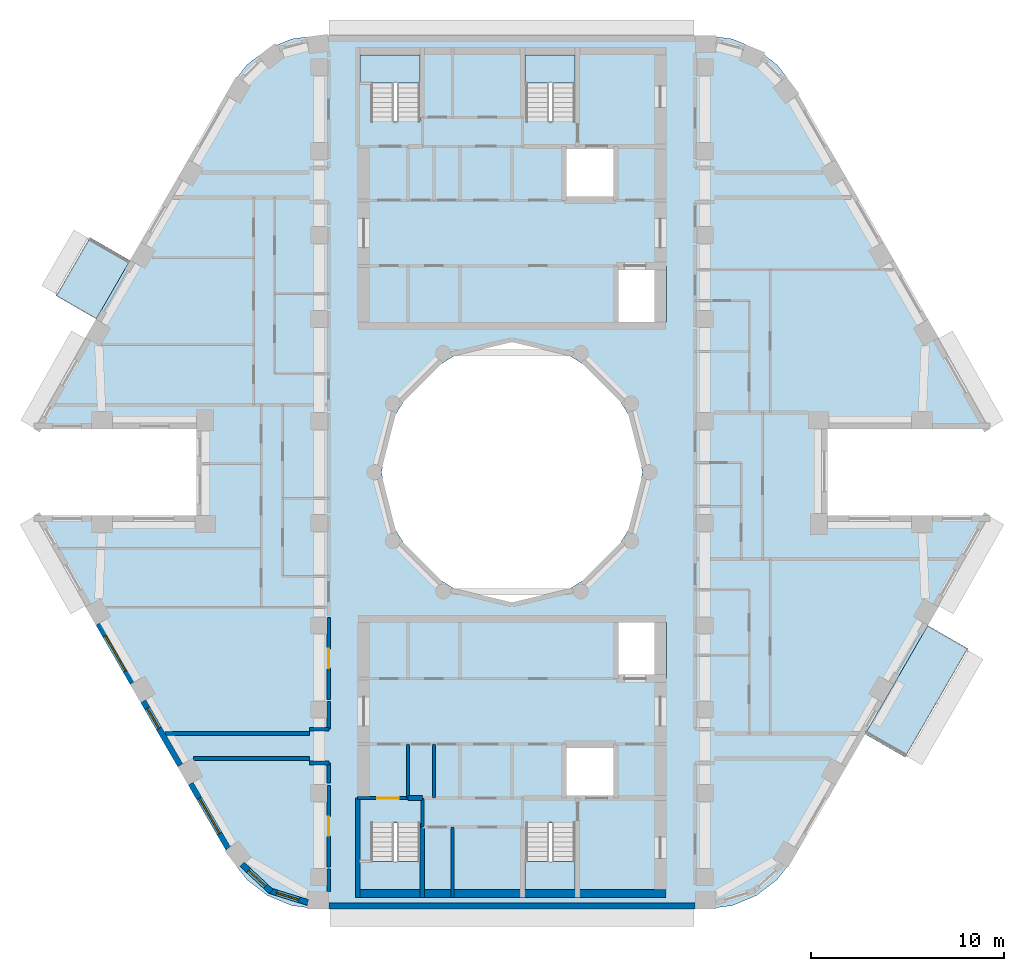
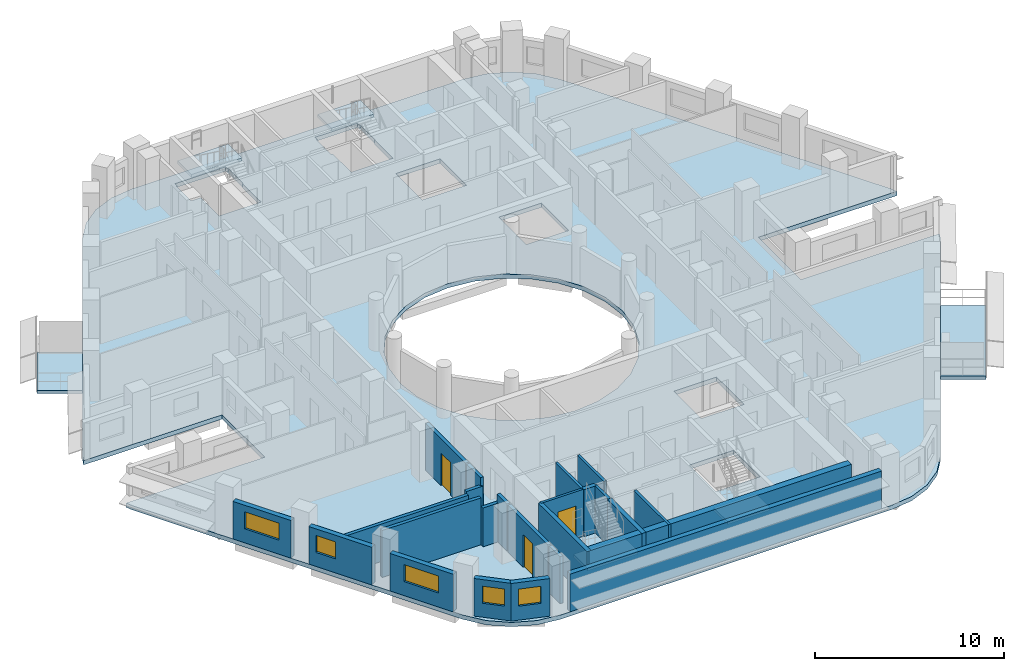
# One storey, part 2 of 14: 24 walls, 7 slabs, 5 windows, 3 doors, 8 openings, 4 elements without a shape of their own.
"""IFC4 building model written with IfcOpenShell, lengths in metres."""

import ifcopenshell
import ifcopenshell.guid

model = None  # the IFC model being written
_history = None  # IfcOwnerHistory: only IFC2X3 demands one
_inside = {}  # id of a spatial element -> (the spatial element, [elements in it])
_under = {}  # id of a project, library or spatial element -> (it, [spatial elements below it])
_declared = {}  # id of a project -> (the project, [libraries it declares])
_typed = {}  # id of a type object -> (the type object, [elements of that type])
_made_of = {}  # id of a material, layer set ... -> (it, [elements and type objects made of it])


def new_model(schema):
    """Start an empty IFC model of exactly this schema.

    Asked for "IFC4X3", IfcOpenShell would pick the latest addendum, in which some entities
    have other attributes; the version numbers below select the first issue.
    IFC2X3 requires an IfcOwnerHistory on every rooted entity: one is made here for all.
    """
    global model, _history
    if schema == "IFC4X3":
        model = ifcopenshell.file(schema_version=(4, 3, 0, 0))
    else:
        model = ifcopenshell.file(schema=schema)
    _inside.clear()
    _under.clear()
    _declared.clear()
    _typed.clear()
    _made_of.clear()
    _history = None
    if model.schema == "IFC2X3":
        org = make("IfcOrganization", Name="unknown")
        user = make(
            "IfcPersonAndOrganization",
            ThePerson=make("IfcPerson", FamilyName="unknown"),
            TheOrganization=org,
        )
        app = make(
            "IfcApplication",
            ApplicationDeveloper=org,
            Version="unknown",
            ApplicationFullName="unknown",
            ApplicationIdentifier="unknown",
        )
        _history = make(
            "IfcOwnerHistory",
            OwningUser=user,
            OwningApplication=app,
            ChangeAction="ADDED",
            CreationDate=0,
        )
    return model


def make(cls, **values):
    """One entity of the class cls with the attributes given. An attribute that is None is left unset."""
    return model.create_entity(
        cls, **{name: value for name, value in values.items() if value is not None}
    )


def rooted(cls, **values):
    """An entity with a GlobalId (a new one), such as an element, a storey or a relation."""
    return make(cls, GlobalId=ifcopenshell.guid.new(), OwnerHistory=_history, **values)


def si_unit(unit_type, name, prefix=None):
    """IfcSIUnit, for example si_unit("LENGTHUNIT", "METRE", prefix="MILLI")."""
    return make("IfcSIUnit", UnitType=unit_type, Prefix=prefix, Name=name)


def assignment(units):
    """IfcUnitAssignment: the units of a project."""
    return None if units is None else make("IfcUnitAssignment", Units=units)


def point(xyz):
    """IfcCartesianPoint."""
    return None if xyz is None else make("IfcCartesianPoint", Coordinates=xyz)


def direction(xyz):
    """IfcDirection."""
    return None if xyz is None else make("IfcDirection", DirectionRatios=xyz)


def frame(location, z_axis=None, x_axis=None):
    """IfcAxis2Placement3D, a coordinate frame: its origin and axes. An axis left out is left unset."""
    return make(
        "IfcAxis2Placement3D",
        Location=point(location),
        Axis=direction(z_axis),
        RefDirection=direction(x_axis),
    )


def frame_2d(location, x_axis=None):
    """IfcAxis2Placement2D, a coordinate frame in the plane: its origin and x axis."""
    return make(
        "IfcAxis2Placement2D", Location=point(location), RefDirection=direction(x_axis)
    )


def origin():
    """The frame at (0, 0, 0) with its axes left unset."""
    return frame((0.0, 0.0, 0.0))


def place(relative_to, where):
    """IfcLocalPlacement: puts the frame where relative to a parent placement (None: the world)."""
    return make(
        "IfcLocalPlacement", PlacementRelTo=relative_to, RelativePlacement=where
    )


def context(
    kind, dimensions, precision=None, world=None, true_north=None, identifier=None
):
    """IfcGeometricRepresentationContext, for example the 3D "Model" context."""
    return make(
        "IfcGeometricRepresentationContext",
        ContextIdentifier=identifier,
        ContextType=kind,
        CoordinateSpaceDimension=dimensions,
        Precision=precision,
        WorldCoordinateSystem=world,
        TrueNorth=true_north,
    )


def subcontext(parent, identifier, kind, view, scale=None):
    """IfcGeometricRepresentationSubContext, for example "Body" below "Model"."""
    return make(
        "IfcGeometricRepresentationSubContext",
        ContextIdentifier=identifier,
        ContextType=kind,
        ParentContext=parent,
        TargetScale=scale,
        TargetView=view,
    )


def project(units=None, contexts=None):
    """IfcProject with its units and contexts."""
    return rooted(
        "IfcProject",
        Name="project",
        RepresentationContexts=contexts,
        UnitsInContext=assignment(units),
    )


def spatial(cls, under=None, at=None, **own):
    """A site, building, storey or space (cls), placed at a placement, below another one or the project."""
    s = rooted(cls, ObjectPlacement=at, **own)
    if under is not None:
        _under.setdefault(under.id(), (under, []))[1].append(s)
    return s


def polyline(points):
    """IfcPolyline through the points."""
    return make("IfcPolyline", Points=[point(p) for p in points])


def profile(cls, at=None, kind="AREA", **sizes):
    """A parametric profile (cls). Its sizes go by their IFC names, for example OverallWidth=200.0."""
    return make(cls, ProfileType=kind, Position=at, **sizes)


def rectangle(**sizes):
    """IfcRectangleProfileDef."""
    return profile("IfcRectangleProfileDef", **sizes)


def outline(outer, holes=None, kind="AREA"):
    """IfcArbitraryClosedProfileDef: a profile drawn as a closed curve; with holes, ...WithVoids."""
    if holes is None:
        return make("IfcArbitraryClosedProfileDef", ProfileType=kind, OuterCurve=outer)
    return make(
        "IfcArbitraryProfileDefWithVoids",
        ProfileType=kind,
        OuterCurve=outer,
        InnerCurves=holes,
    )


def extrude(swept, where, along, depth):
    """IfcExtrudedAreaSolid: the profile swept, set in the frame where, extruded along a direction by depth."""
    return make(
        "IfcExtrudedAreaSolid",
        SweptArea=swept,
        Position=where,
        ExtrudedDirection=direction(along),
        Depth=depth,
    )


def shape(context_of_items, identifier, shape_type, items):
    """IfcShapeRepresentation: the items that make up one representation, for example the "Body"."""
    return make(
        "IfcShapeRepresentation",
        ContextOfItems=context_of_items,
        RepresentationIdentifier=identifier,
        RepresentationType=shape_type,
        Items=items,
    )


def material(Name=None, Category=None):
    """IfcMaterial."""
    return make("IfcMaterial", Name=Name, Category=Category)


def layer(
    of_material, thickness, ventilated=None, Name=None, Category=None, Priority=None
):
    """IfcMaterialLayer: one layer of a wall or slab, of a material (None: an air gap)."""
    return make(
        "IfcMaterialLayer",
        Material=of_material,
        LayerThickness=thickness,
        IsVentilated=ventilated,
        Name=Name,
        Category=Category,
        Priority=Priority,
    )


def layer_set(layers, Name=None):
    """IfcMaterialLayerSet."""
    return make("IfcMaterialLayerSet", MaterialLayers=layers, LayerSetName=Name)


def made_of(thing, what):
    """Note that an element or type object is made of a material, layer set ...; save() writes the relation."""
    if what is not None:
        _made_of.setdefault(what.id(), (what, []))[1].append(thing)
    return thing


def type_object(cls, material=None, **own):
    """A type object (cls), such as IfcWallType, which elements share."""
    return made_of(rooted(cls, **own), material)


def element(
    cls,
    number,
    at=None,
    inside=None,
    cuts=None,
    type_object=None,
    material=None,
    context=None,
    identifier="Body",
    shape_type=None,
    held_by="IfcProductDefinitionShape",
    body=None,
    shapes=None,
    **own,
):
    """One element of the class cls, such as IfcWall. Its Tag is "e" and its number.

    at: its placement. inside: the storey or other place that contains it. cuts: it is an
    opening in that element (IfcRelVoidsElement). A single representation is given by context,
    identifier, shape_type and body (its items); several are given by shapes. held_by: the class
    of the entity that holds the representations. save() writes the other relations.
    """
    e = rooted(cls, Tag="e%d" % number, ObjectPlacement=at, **own)
    if body is not None:
        shapes = [shape(context, identifier, shape_type, body)]
    if shapes is not None:
        e.Representation = make(held_by, Representations=shapes)
    if inside is not None:
        _inside.setdefault(inside.id(), (inside, []))[1].append(e)
    if cuts is not None:
        rooted(
            "IfcRelVoidsElement", RelatingBuildingElement=cuts, RelatedOpeningElement=e
        )
    if type_object is not None:
        _typed.setdefault(type_object.id(), (type_object, []))[1].append(e)
    return made_of(e, material)


def fill(opening, filler):
    """IfcRelFillsElement: the door or window that sits in an opening."""
    return rooted(
        "IfcRelFillsElement",
        RelatingOpeningElement=opening,
        RelatedBuildingElement=filler,
    )


def aggregate(whole, parts):
    """IfcRelAggregates: a whole, such as a stair, and the parts it consists of."""
    return rooted("IfcRelAggregates", RelatingObject=whole, RelatedObjects=parts)


def save(model, path):
    """Write the relations noted so far, then the file.

    IfcRelAggregates (storeys below a building ...), IfcRelContainedInSpatialStructure (elements
    in a storey), IfcRelDefinesByType, IfcRelAssociatesMaterial and IfcRelDeclares: one each for
    every whole, place, type object, material and project.
    """
    for whole, parts in _under.values():
        aggregate(whole, parts)
    for where, things in _inside.values():
        rooted(
            "IfcRelContainedInSpatialStructure",
            RelatedElements=things,
            RelatingStructure=where,
        )
    for kind, things in _typed.values():
        rooted("IfcRelDefinesByType", RelatedObjects=things, RelatingType=kind)
    for what, things in _made_of.values():
        rooted("IfcRelAssociatesMaterial", RelatedObjects=things, RelatingMaterial=what)
    for by, libraries in _declared.values():
        rooted("IfcRelDeclares", RelatingContext=by, RelatedDefinitions=libraries)
    model.write(path)


model = new_model("IFC4")

# Units and contexts
model_context = context("Model", 3, precision=1e-05, world=origin(), true_north=direction((0.0, 1.0)))
body_context = subcontext(model_context, "Body", "Model", "MODEL_VIEW")
ifc_project = project(units=[si_unit("LENGTHUNIT", "METRE"), si_unit("AREAUNIT", "SQUARE_METRE"), si_unit("VOLUMEUNIT", "CUBIC_METRE"), si_unit("PLANEANGLEUNIT", "RADIAN"), si_unit("MASSUNIT", "GRAM", prefix="KILO")], contexts=[model_context])

# Site, building, storey
site_placement = place(None, origin())
site = spatial("IfcSite", under=ifc_project, at=site_placement, CompositionType="ELEMENT")
building_placement = place(site_placement, origin())
building = spatial("IfcBuilding", under=site, at=building_placement, Name="Nakaniwa Court", CompositionType="ELEMENT")
storey_placement = place(building_placement, frame((0.0, 0.0, 259.199951171875)))
storey = spatial("IfcBuildingStorey", under=building, at=storey_placement, Name="L68", CompositionType="ELEMENT", Elevation=259.199951171875)

# Slabs
ifc_material_1 = material(Name="Charcoal ceramic paver")
ifc_layer_1 = layer(ifc_material_1, 0.02, Name="Ceramic paver")
ifc_material_2 = material(Name="Cement sand screed")
ifc_layer_2 = layer(ifc_material_2, 0.03, Name="Falls screed")
ifc_material_3 = material(Name="Concrete C40/50", Category="concrete")
ifc_layer_3 = layer(ifc_material_3, 0.15, Name="Balcony slab")
ifc_layer_set_1 = layer_set([ifc_layer_1, ifc_layer_2, ifc_layer_3], Name="Concrete C40/50 balcony slab with ceramic paver finish")
slab_type_1 = type_object("IfcSlabType", Name="Balcony slab 200", PredefinedType="FLOOR", material=ifc_layer_set_1)
slab_1_placement = place(storey_placement, frame((0.0, 0.0, -0.25)))
element("IfcSlab", 1, at=slab_1_placement, inside=storey, type_object=slab_type_1, Name="L68 balcony 01", PredefinedType="FLOOR", context=body_context, shape_type="SweptSolid", body=[
    extrude(outline(polyline([(60.185791015625, 90.981201171875), (58.436279296875, 87.95068359375), (56.35791015625, 89.15087890625), (58.107421875, 92.18115234375), (60.185791015625, 90.981201171875)])), origin(), (0.0, 0.0, 1.0), 0.199951171875),
])
slab_2_placement = place(storey_placement, frame((0.0, 0.0, -0.25)))
element("IfcSlab", 2, at=slab_2_placement, inside=storey, type_object=slab_type_1, Name="L68 balcony 02", PredefinedType="FLOOR", context=body_context, shape_type="SweptSolid", body=[
    extrude(outline(polyline([(98.314208984375, 66.4208984375), (101.563720703125, 72.04931640625), (103.64208984375, 70.84912109375), (100.392578125, 65.220703125), (98.314208984375, 66.4208984375)])), origin(), (0.0, 0.0, 1.0), 0.199951171875),
])
ifc_material_4 = material(Name="Concrete C80/100", Category="concrete")
ifc_layer_4 = layer(ifc_material_4, 0.27490234375)
ifc_layer_set_2 = layer_set([ifc_layer_4], Name="Concrete C80/100")
slab_type_2 = type_object("IfcSlabType", Name="Concrete C80/100 post tensioned floor slab 275", PredefinedType="FLOOR", material=ifc_layer_set_2)
slab_3_placement = place(storey_placement, frame((0.0, 0.0, -0.27490234375)))
element("IfcSlab", 3, at=slab_3_placement, inside=storey, type_object=slab_type_2, Name="FLOOR SLAB", PredefinedType="FLOOR", context=body_context, shape_type="SweptSolid", body=[
    extrude(outline(polyline([(96.349609375, 82.25), (104.7978515625, 82.25), (104.65283203125, 82.60009765625), (94.578125, 100.050048828125), (93.751708984375, 101.126953125), (92.6748046875, 101.953369140625), (91.420654296875, 102.472900390625), (90.07470703125, 102.64990234375), (69.92529296875, 102.64990234375), (68.579345703125, 102.472900390625), (67.3251953125, 101.953369140625), (66.248291015625, 101.126953125), (65.421875, 100.050048828125), (55.34716796875, 82.60009765625), (55.2021484375, 82.25), (63.650390625, 82.25), (63.650390625, 77.75), (55.2021484375, 77.75), (55.34716796875, 77.39990234375), (65.421875, 59.949951171875), (66.248291015625, 58.873046875), (67.3251953125, 58.046630859375), (68.579345703125, 57.527099609375), (69.92529296875, 57.35009765625), (90.07470703125, 57.35009765625), (91.420654296875, 57.527099609375), (92.6748046875, 58.046630859375), (93.751708984375, 58.873046875), (94.578125, 59.949951171875), (104.65283203125, 77.39990234375), (104.7978515625, 77.75), (96.349609375, 77.75), (96.349609375, 82.25)]), holes=[polyline([(81.501953125, 86.580810546875), (80.0, 86.75), (78.498046875, 86.580810546875), (77.0712890625, 86.08154296875), (75.79150390625, 85.27734375), (74.72265625, 84.20849609375), (73.91845703125, 82.9287109375), (73.419189453125, 81.501953125), (73.25, 80.0), (73.419189453125, 78.498046875), (73.91845703125, 77.0712890625), (74.72265625, 75.79150390625), (75.79150390625, 74.72265625), (77.0712890625, 73.91845703125), (78.498046875, 73.419189453125), (80.0, 73.25), (81.501953125, 73.419189453125), (82.9287109375, 73.91845703125), (84.20849609375, 74.72265625), (85.27734375, 75.79150390625), (86.08154296875, 77.0712890625), (86.580810546875, 78.498046875), (86.75, 80.0), (86.580810546875, 81.501953125), (86.08154296875, 82.9287109375), (85.27734375, 84.20849609375), (84.20849609375, 85.27734375), (82.9287109375, 86.08154296875), (81.501953125, 86.580810546875)]), polyline([(72.675048828125, 61.81005859375), (72.675048828125, 59.864990234375), (72.0849609375, 59.864990234375), (72.0849609375, 58.31005859375), (72.125, 58.31005859375), (72.125, 58.074951171875), (75.22509765625, 58.074951171875), (75.22509765625, 58.31005859375), (75.264892578125, 58.31005859375), (75.264892578125, 59.864990234375), (75.22509765625, 59.864990234375), (75.22509765625, 61.81005859375), (72.675048828125, 61.81005859375)]), polyline([(83.27490234375, 61.81005859375), (80.72509765625, 61.81005859375), (80.72509765625, 59.864990234375), (80.635009765625, 59.864990234375), (80.635009765625, 58.31005859375), (80.675048828125, 58.31005859375), (80.675048828125, 58.074951171875), (83.27490234375, 58.074951171875), (83.27490234375, 58.31005859375), (83.31494140625, 58.31005859375), (83.31494140625, 59.864990234375), (83.27490234375, 59.864990234375), (83.27490234375, 61.81005859375)]), polyline([(75.264892578125, 101.68994140625), (75.22509765625, 101.68994140625), (75.22509765625, 101.925048828125), (72.125, 101.925048828125), (72.125, 101.68994140625), (72.0849609375, 101.68994140625), (72.0849609375, 100.135009765625), (72.675048828125, 100.135009765625), (72.675048828125, 98.18994140625), (75.22509765625, 98.18994140625), (75.22509765625, 100.135009765625), (75.264892578125, 100.135009765625), (75.264892578125, 101.68994140625)]), polyline([(83.31494140625, 100.135009765625), (83.31494140625, 101.68994140625), (83.27490234375, 101.68994140625), (83.27490234375, 101.925048828125), (80.675048828125, 101.925048828125), (80.675048828125, 101.68994140625), (80.635009765625, 101.68994140625), (80.635009765625, 100.135009765625), (80.72509765625, 100.135009765625), (80.72509765625, 98.18994140625), (83.27490234375, 98.18994140625), (83.27490234375, 100.135009765625), (83.31494140625, 100.135009765625)]), polyline([(85.39990234375, 65.89990234375), (82.699951171875, 65.89990234375), (82.699951171875, 63.10009765625), (85.39990234375, 63.10009765625), (85.39990234375, 65.89990234375)]), polyline([(88.0, 72.199951171875), (85.39990234375, 72.199951171875), (85.39990234375, 69.300048828125), (88.0, 69.300048828125), (88.0, 72.199951171875)]), polyline([(85.39990234375, 90.699951171875), (85.39990234375, 87.800048828125), (88.0, 87.800048828125), (88.0, 90.699951171875), (85.39990234375, 90.699951171875)]), polyline([(85.39990234375, 96.89990234375), (82.699951171875, 96.89990234375), (82.699951171875, 94.10009765625), (85.39990234375, 94.10009765625), (85.39990234375, 96.89990234375)])]), origin(), (0.0, 0.0, 1.0), 0.27490234375),
])

# Stair, slab
stair_type = type_object("IfcStairType", Name="Dog leg stair 1200 wide 18 risers", PredefinedType="HALF_TURN_STAIR", material=ifc_material_4)
stair_1_placement = place(storey_placement, origin())
stair_1 = element("IfcStair", 4, at=stair_1_placement, inside=storey, type_object=stair_type, Name="L68 Stair ST1", PredefinedType="HALF_TURN_STAIR")
ifc_layer_5 = layer(ifc_material_4, 0.199951171875)
ifc_layer_set_3 = layer_set([ifc_layer_5], Name="Concrete C80/100")
slab_type_3 = type_object("IfcSlabType", Name="Stair landing concrete", PredefinedType="LANDING", material=ifc_layer_set_3)
slab_4_placement = place(storey_placement, frame((0.0, 0.0, 1.449951171875)))
slab_4 = element("IfcSlab", 5, at=slab_4_placement, type_object=slab_type_3, Name="ST1 landing 1", PredefinedType="LANDING", context=body_context, shape_type="SweptSolid", body=[
    extrude(outline(polyline([(75.22509765625, 100.175048828125), (75.22509765625, 101.64990234375), (72.125, 101.64990234375), (72.125, 100.175048828125), (75.22509765625, 100.175048828125)])), origin(), (0.0, 0.0, 1.0), 0.2001953125),
])
aggregate(stair_1, [slab_4])

stair_2_placement = place(storey_placement, origin())
stair_2 = element("IfcStair", 6, at=stair_2_placement, inside=storey, type_object=stair_type, Name="L68 Stair ST2", PredefinedType="HALF_TURN_STAIR")
slab_5_placement = place(storey_placement, frame((0.0, 0.0, 1.449951171875)))
slab_5 = element("IfcSlab", 7, at=slab_5_placement, type_object=slab_type_3, Name="ST2 landing 1", PredefinedType="LANDING", context=body_context, shape_type="SweptSolid", body=[
    extrude(outline(polyline([(83.27490234375, 100.175048828125), (83.27490234375, 101.64990234375), (80.675048828125, 101.64990234375), (80.675048828125, 100.175048828125), (83.27490234375, 100.175048828125)])), origin(), (0.0, 0.0, 1.0), 0.2001953125),
])
aggregate(stair_2, [slab_5])

stair_3_placement = place(storey_placement, origin())
stair_3 = element("IfcStair", 8, at=stair_3_placement, inside=storey, type_object=stair_type, Name="L68 Stair ST3", PredefinedType="HALF_TURN_STAIR")
slab_6_placement = place(storey_placement, frame((0.0, 0.0, 1.449951171875)))
slab_6 = element("IfcSlab", 9, at=slab_6_placement, type_object=slab_type_3, Name="ST3 landing 1", PredefinedType="LANDING", context=body_context, shape_type="SweptSolid", body=[
    extrude(outline(polyline([(75.22509765625, 58.35009765625), (75.22509765625, 59.824951171875), (72.125, 59.824951171875), (72.125, 58.35009765625), (75.22509765625, 58.35009765625)])), origin(), (0.0, 0.0, 1.0), 0.2001953125),
])
aggregate(stair_3, [slab_6])

stair_4_placement = place(storey_placement, origin())
stair_4 = element("IfcStair", 10, at=stair_4_placement, inside=storey, type_object=stair_type, Name="L68 Stair ST4", PredefinedType="HALF_TURN_STAIR")
slab_7_placement = place(storey_placement, frame((0.0, 0.0, 1.449951171875)))
slab_7 = element("IfcSlab", 11, at=slab_7_placement, type_object=slab_type_3, Name="ST4 landing 1", PredefinedType="LANDING", context=body_context, shape_type="SweptSolid", body=[
    extrude(outline(polyline([(83.27490234375, 58.35009765625), (83.27490234375, 59.824951171875), (80.675048828125, 59.824951171875), (80.675048828125, 58.35009765625), (83.27490234375, 58.35009765625)])), origin(), (0.0, 0.0, 1.0), 0.2001953125),
])
aggregate(stair_4, [slab_7])

# Walls
ifc_material_5 = material(Name="Acoustic double stud partition")
ifc_layer_6 = layer(ifc_material_5, 0.199951171875)
ifc_layer_set_4 = layer_set([ifc_layer_6], Name="Acoustic double stud partition")
wall_type_1 = type_object("IfcWallType", Name="Acoustic double stud partition 200", PredefinedType="PARTITIONING", material=ifc_layer_set_4)
wall_1_placement = place(storey_placement, frame((69.5, 66.675048828125, 0.0), z_axis=(0.0, 0.0, 1.0), x_axis=(1.0, 0.0, 0.0)))
element("IfcWall", 12, at=wall_1_placement, inside=storey, type_object=wall_type_1, Name="Partition PW-076", PredefinedType="PARTITIONING", context=body_context, shape_type="SweptSolid", body=[
    extrude(rectangle(XDim=1.0, YDim=0.199951171875, at=frame_2d((0.5, 0.0))), origin(), (0.0, 0.0, 1.0), 2.505126953125),
])
wall_2_placement = place(storey_placement, frame((62.015380859375, 66.449951171875, 0.0), z_axis=(0.0, 0.0, 1.0), x_axis=(1.0, 0.0, 0.0)))
element("IfcWall", 13, at=wall_2_placement, inside=storey, type_object=wall_type_1, Name="Partition PW-078", PredefinedType="PARTITIONING", context=body_context, shape_type="SweptSolid", body=[
    extrude(rectangle(XDim=7.484619140625, YDim=0.199951171875, at=frame_2d((3.7421875, 0.0))), origin(), (0.0, 0.0, 1.0), 2.405029296875),
])
wall_3_placement = place(storey_placement, frame((63.47900390625, 65.14990234375, 0.0), z_axis=(0.0, 0.0, 1.0), x_axis=(1.0, 0.0, 0.0)))
element("IfcWall", 14, at=wall_3_placement, inside=storey, type_object=wall_type_1, Name="Partition PW-080", PredefinedType="PARTITIONING", context=body_context, shape_type="SweptSolid", body=[
    extrude(rectangle(XDim=6.02099609375, YDim=0.199951171875, at=frame_2d((3.010498046875, 0.0))), origin(), (0.0, 0.0, 1.0), 3.025146484375),
])
wall_4_placement = place(storey_placement, frame((69.5, 64.925048828125, 0.0), z_axis=(0.0, 0.0, 1.0), x_axis=(1.0, 0.0, 0.0)))
element("IfcWall", 15, at=wall_4_placement, inside=storey, type_object=wall_type_1, Name="Partition PW-082", PredefinedType="PARTITIONING", context=body_context, shape_type="SweptSolid", body=[
    extrude(rectangle(XDim=1.0, YDim=0.199951171875, at=frame_2d((0.5, 0.0))), origin(), (0.0, 0.0, 1.0), 2.505126953125),
])
wall_5_placement = place(storey_placement, frame((70.5, 58.26708984375, 0.0), z_axis=(0.0, 0.0, 1.0), x_axis=(0.0, 1.0, 0.0)))
element("IfcWall", 16, at=wall_5_placement, inside=storey, type_object=wall_type_1, Name="Partition PW-084", PredefinedType="PARTITIONING", context=body_context, shape_type="SweptSolid", body=[
    extrude(rectangle(XDim=1.14599609375, YDim=0.199951171875, at=frame_2d((0.572998046875, 0.0))), origin(), (0.0, 0.0, 1.0), 3.025146484375),
])

# Wall, opening, door
wall_6_placement = place(storey_placement, frame((70.5, 59.527099609375, 0.0), z_axis=(0.0, 0.0, 1.0), x_axis=(0.0, 1.0, 0.0)))
wall_6 = element("IfcWall", 17, at=wall_6_placement, inside=storey, type_object=wall_type_1, Name="Partition PW-085", PredefinedType="PARTITIONING", context=body_context, shape_type="SweptSolid", body=[
    extrude(rectangle(XDim=4.23583984375, YDim=0.199951171875, at=frame_2d((2.117919921875, 0.0))), origin(), (0.0, 0.0, 1.0), 3.025146484375),
])
opening_1_placement = place(wall_6_placement, frame((1.617919921875, 0.0, 0.0)))
opening_1 = element("IfcOpeningElement", 18, at=opening_1_placement, cuts=wall_6, Name="Opening D-02-06", PredefinedType="OPENING", context=body_context, shape_type="SweptSolid", body=[
    extrude(rectangle(XDim=1.0, YDim=2.10009765625, at=frame_2d((0.5, 1.050048828125))), frame((0.0, 0.10986328125, 0.0), z_axis=(0.0, -1.0, 0.0), x_axis=(1.0, 0.0, 0.0)), (0.0, 0.0, 1.0), 0.219970703125),
])
ifc_material_6 = material(Name="Solid core timber door set, black veneer", Category="wood")
door_type_1 = type_object("IfcDoorType", Name="Internal door 1000", OperationType="NOTDEFINED", PredefinedType="DOOR", material=ifc_material_6)
door_1_placement = place(opening_1_placement, origin())
door_1 = element("IfcDoor", 19, at=door_1_placement, inside=storey, type_object=door_type_1, Name="Door D-02-06 L68-058", OperationType="SINGLE_SWING_LEFT", OverallHeight=2.10009765625, OverallWidth=1.0, PredefinedType="DOOR", context=body_context, shape_type="SweptSolid", body=[
    extrude(rectangle(XDim=1.0, YDim=2.10009765625, at=frame_2d((0.5, 1.050048828125))), frame((0.0, 0.02490234375, 0.0), z_axis=(0.0, -1.0, 0.0), x_axis=(1.0, 0.0, 0.0)), (0.0, 0.0, 1.0), 0.050048828125),
])
fill(opening_1, door_1)

# Walls
wall_7_placement = place(storey_placement, frame((70.5, 63.876953125, 0.0), z_axis=(0.0, 0.0, 1.0), x_axis=(0.0, 1.0, 0.0)))
element("IfcWall", 20, at=wall_7_placement, inside=storey, type_object=wall_type_1, Name="Partition PW-086", PredefinedType="PARTITIONING", context=body_context, shape_type="SweptSolid", body=[
    extrude(rectangle(XDim=1.051025390625, YDim=0.199951171875, at=frame_2d((0.525390625, 0.0))), origin(), (0.0, 0.0, 1.0), 3.025146484375),
])
wall_8_placement = place(storey_placement, frame((70.5, 66.672119140625, 0.0), z_axis=(0.0, 0.0, 1.0), x_axis=(0.0, 1.0, 0.0)))
element("IfcWall", 21, at=wall_8_placement, inside=storey, type_object=wall_type_1, Name="Partition PW-087", PredefinedType="PARTITIONING", context=body_context, shape_type="SweptSolid", body=[
    extrude(rectangle(XDim=1.44091796875, YDim=0.199951171875, at=frame_2d((0.720458984375, 0.0))), origin(), (0.0, 0.0, 1.0), 3.025146484375),
])

# Wall, opening, door
wall_9_placement = place(storey_placement, frame((70.5, 68.22705078125, 0.0), z_axis=(0.0, 0.0, 1.0), x_axis=(0.0, 1.0, 0.0)))
wall_9 = element("IfcWall", 22, at=wall_9_placement, inside=storey, type_object=wall_type_1, Name="Partition PW-088", PredefinedType="PARTITIONING", context=body_context, shape_type="SweptSolid", body=[
    extrude(rectangle(XDim=4.23583984375, YDim=0.199951171875, at=frame_2d((2.117919921875, 0.0))), origin(), (0.0, 0.0, 1.0), 3.025146484375),
])
opening_2_placement = place(wall_9_placement, frame((1.617919921875, 0.0, 0.0)))
opening_2 = element("IfcOpeningElement", 23, at=opening_2_placement, cuts=wall_9, Name="Opening D-02-01", PredefinedType="OPENING", context=body_context, shape_type="SweptSolid", body=[
    extrude(rectangle(XDim=1.0, YDim=2.10009765625, at=frame_2d((0.5, 1.050048828125))), frame((0.0, 0.10986328125, 0.0), z_axis=(0.0, -1.0, 0.0), x_axis=(1.0, 0.0, 0.0)), (0.0, 0.0, 1.0), 0.219970703125),
])
door_2_placement = place(opening_2_placement, origin())
door_2 = element("IfcDoor", 24, at=door_2_placement, inside=storey, type_object=door_type_1, Name="Door D-02-01 L68-041", OperationType="SINGLE_SWING_RIGHT", OverallHeight=2.10009765625, OverallWidth=1.0, PredefinedType="DOOR", context=body_context, shape_type="SweptSolid", body=[
    extrude(rectangle(XDim=1.0, YDim=2.10009765625, at=frame_2d((0.5, 1.050048828125))), frame((0.0, 0.02490234375, 0.0), z_axis=(0.0, -1.0, 0.0), x_axis=(1.0, 0.0, 0.0)), (0.0, 0.0, 1.0), 0.050048828125),
])
fill(opening_2, door_2)

# Wall, opening, window
ifc_material_7 = material(Name="Charcoal ceramic cladding")
ifc_layer_7 = layer(ifc_material_7, 0.02, Name="Ceramic cladding")
ifc_material_8 = material(Name="Ventilated air cavity")
ifc_layer_8 = layer(ifc_material_8, 0.04, ventilated=True, Name="Ventilated cavity")
ifc_material_9 = material(Name="Mineral wool insulation")
ifc_layer_9 = layer(ifc_material_9, 0.1, Name="Insulation")
ifc_material_10 = material(Name="Cement bonded sheathing board")
ifc_layer_10 = layer(ifc_material_10, 0.012, Name="Sheathing")
ifc_material_11 = material(Name="Cold-formed galvanised stud frame with mineral wool infill")
ifc_layer_11 = layer(ifc_material_11, 0.1, Name="Stud frame")
ifc_material_12 = material(Name="Fire-rated gypsum plasterboard lining")
ifc_layer_12 = layer(ifc_material_12, 0.028, Name="Lining")
ifc_layer_set_5 = layer_set([ifc_layer_7, ifc_layer_8, ifc_layer_9, ifc_layer_10, ifc_layer_11, ifc_layer_12], Name="Charcoal ceramic faced external wall system")
wall_type_2 = type_object("IfcWallType", Name="Black ceramic faced external wall 300", PredefinedType="SOLIDWALL", material=ifc_layer_set_5)
wall_10_placement = place(storey_placement, frame((58.55419921875, 72.14501953125, 0.0), z_axis=(0.0, 0.0, 1.0), x_axis=(0.500010404316, -0.866019396766, 0.0)))
wall_10 = element("IfcWall", 25, at=wall_10_placement, inside=storey, type_object=wall_type_2, Name="L68 external wall 21", PredefinedType="SOLIDWALL", context=body_context, shape_type="SweptSolid", body=[
    extrude(rectangle(XDim=3.54736328125, YDim=0.300048828125, at=frame_2d((1.773681640625, 0.0))), origin(), (0.0, 0.0, 1.0), 2.425048828125),
])
opening_3_placement = place(wall_10_placement, frame((0.723388671875, 0.0, 0.89990234375)))
opening_3 = element("IfcOpeningElement", 26, at=opening_3_placement, cuts=wall_10, Name="Opening W7.21", PredefinedType="OPENING", context=body_context, shape_type="SweptSolid", body=[
    extrude(rectangle(XDim=2.10009765625, YDim=1.10009765625, at=frame_2d((1.050048828125, 0.550048828125))), frame((0.0, 0.159912109375, 0.0), z_axis=(0.0, -1.0, 0.0), x_axis=(1.0, 0.0, 0.0)), (0.0, 0.0, 1.0), 0.320068359375),
])
ifc_material_13 = material(Name="Black anodised aluminium frame with dark low-E laminated double glazing", Category="aluminium")
window_type_1 = type_object("IfcWindowType", Name="Dark glass window 2100x1100 sill 900", PartitioningType="SINGLE_PANEL", PredefinedType="WINDOW", material=ifc_material_13)
window_1_placement = place(opening_3_placement, origin())
window_1 = element("IfcWindow", 27, at=window_1_placement, inside=storey, type_object=window_type_1, Name="L68 habitable room window 21-0", OverallHeight=1.10009765625, OverallWidth=2.10009765625, PartitioningType="SINGLE_PANEL", PredefinedType="WINDOW", context=body_context, shape_type="SweptSolid", body=[
    extrude(rectangle(XDim=2.10009765625, YDim=1.10009765625, at=frame_2d((1.050048828125, 0.550048828125))), frame((0.0, 0.030029296875, 0.0), z_axis=(0.0, -1.0, 0.0), x_axis=(1.0, 0.0, 0.0)), (0.0, 0.0, 1.0), 0.06005859375),
])
fill(opening_3, window_1)

wall_11_placement = place(storey_placement, frame((60.873779296875, 68.12744140625, 0.0), z_axis=(0.0, 0.0, 1.0), x_axis=(0.499984490703, -0.866034357896, 0.0)))
wall_11 = element("IfcWall", 28, at=wall_11_placement, inside=storey, type_object=wall_type_2, Name="L68 external wall 22", PredefinedType="SOLIDWALL", context=body_context, shape_type="SweptSolid", body=[
    extrude(rectangle(XDim=3.84423828125, YDim=0.300048828125, at=frame_2d((1.922119140625, 0.0))), origin(), (0.0, 0.0, 1.0), 2.425048828125),
])
opening_4_placement = place(wall_11_placement, frame((0.429443359375, 0.0, 0.89990234375)))
opening_4 = element("IfcOpeningElement", 29, at=opening_4_placement, cuts=wall_11, Name="Opening W6.22", PredefinedType="OPENING", context=body_context, shape_type="SweptSolid", body=[
    extrude(rectangle(XDim=1.199951171875, YDim=1.10009765625, at=frame_2d((0.60009765625, 0.550048828125))), frame((0.0, 0.159912109375, 0.0), z_axis=(0.0, -1.0, 0.0), x_axis=(1.0, 0.0, 0.0)), (0.0, 0.0, 1.0), 0.320068359375),
])
window_type_2 = type_object("IfcWindowType", Name="Dark glass window 1200x1100 sill 900", PartitioningType="SINGLE_PANEL", PredefinedType="WINDOW", material=ifc_material_13)
window_2_placement = place(opening_4_placement, origin())
window_2 = element("IfcWindow", 30, at=window_2_placement, inside=storey, type_object=window_type_2, Name="L68 habitable room window 22-0", OverallHeight=1.10009765625, OverallWidth=1.199951171875, PartitioningType="SINGLE_PANEL", PredefinedType="WINDOW", context=body_context, shape_type="SweptSolid", body=[
    extrude(rectangle(XDim=1.199951171875, YDim=1.10009765625, at=frame_2d((0.60009765625, 0.550048828125))), frame((0.0, 0.030029296875, 0.0), z_axis=(0.0, -1.0, 0.0), x_axis=(1.0, 0.0, 0.0)), (0.0, 0.0, 1.0), 0.06005859375),
])
fill(opening_4, window_2)

wall_12_placement = place(storey_placement, frame((63.342041015625, 63.8525390625, 0.0), z_axis=(0.0, 0.0, 1.0), x_axis=(0.500011218404, -0.866018926739, 0.0)))
wall_12 = element("IfcWall", 31, at=wall_12_placement, inside=storey, type_object=wall_type_2, Name="L68 external wall 23", PredefinedType="SOLIDWALL", context=body_context, shape_type="SweptSolid", body=[
    extrude(rectangle(XDim=3.87890625, YDim=0.300048828125, at=frame_2d((1.939453125, 0.0))), origin(), (0.0, 0.0, 1.0), 2.425048828125),
])
opening_5_placement = place(wall_12_placement, frame((0.878173828125, 0.0, 0.89990234375)))
opening_5 = element("IfcOpeningElement", 32, at=opening_5_placement, cuts=wall_12, Name="Opening W7.23", PredefinedType="OPENING", context=body_context, shape_type="SweptSolid", body=[
    extrude(rectangle(XDim=2.10009765625, YDim=1.10009765625, at=frame_2d((1.050048828125, 0.550048828125))), frame((0.0, 0.159912109375, 0.0), z_axis=(0.0, -1.0, 0.0), x_axis=(1.0, 0.0, 0.0)), (0.0, 0.0, 1.0), 0.320068359375),
])
window_3_placement = place(opening_5_placement, origin())
window_3 = element("IfcWindow", 33, at=window_3_placement, inside=storey, type_object=window_type_1, Name="L68 habitable room window 23-0", OverallHeight=1.10009765625, OverallWidth=2.10009765625, PartitioningType="SINGLE_PANEL", PredefinedType="WINDOW", context=body_context, shape_type="SweptSolid", body=[
    extrude(rectangle(XDim=2.10009765625, YDim=1.10009765625, at=frame_2d((1.050048828125, 0.550048828125))), frame((0.0, 0.030029296875, 0.0), z_axis=(0.0, -1.0, 0.0), x_axis=(1.0, 0.0, 0.0)), (0.0, 0.0, 1.0), 0.06005859375),
])
fill(opening_5, window_3)

wall_13_placement = place(storey_placement, frame((65.99609375, 59.665283203125, 0.0), z_axis=(0.0, 0.0, 1.0), x_axis=(0.731942518471, -0.6813663843, 0.0)))
wall_13 = element("IfcWall", 34, at=wall_13_placement, inside=storey, type_object=wall_type_2, Name="L68 external wall 24", PredefinedType="SOLIDWALL", context=body_context, shape_type="SweptSolid", body=[
    extrude(rectangle(XDim=2.07568359375, YDim=0.300048828125, at=frame_2d((1.037841796875, 0.0))), origin(), (0.0, 0.0, 1.0), 2.425048828125),
])
opening_6_placement = place(wall_13_placement, frame((0.464111328125, 0.0, 0.89990234375)))
opening_6 = element("IfcOpeningElement", 35, at=opening_6_placement, cuts=wall_13, Name="Opening W6.24", PredefinedType="OPENING", context=body_context, shape_type="SweptSolid", body=[
    extrude(rectangle(XDim=1.199951171875, YDim=1.10009765625, at=frame_2d((0.60009765625, 0.550048828125))), frame((0.0, 0.159912109375, 0.0), z_axis=(0.0, -1.0, 0.0), x_axis=(1.0, 0.0, 0.0)), (0.0, 0.0, 1.0), 0.320068359375),
])
window_4_placement = place(opening_6_placement, origin())
window_4 = element("IfcWindow", 36, at=window_4_placement, inside=storey, type_object=window_type_2, Name="L68 habitable room window 24-0", OverallHeight=1.10009765625, OverallWidth=1.199951171875, PartitioningType="SINGLE_PANEL", PredefinedType="WINDOW", context=body_context, shape_type="SweptSolid", body=[
    extrude(rectangle(XDim=1.199951171875, YDim=1.10009765625, at=frame_2d((0.60009765625, 0.550048828125))), frame((0.0, 0.030029296875, 0.0), z_axis=(0.0, -1.0, 0.0), x_axis=(1.0, 0.0, 0.0)), (0.0, 0.0, 1.0), 0.06005859375),
])
fill(opening_6, window_4)

wall_14_placement = place(storey_placement, frame((67.406494140625, 58.3076171875, 0.0), z_axis=(0.0, 0.0, 1.0), x_axis=(0.954761314907, -0.297373219301, 0.0)))
wall_14 = element("IfcWall", 37, at=wall_14_placement, inside=storey, type_object=wall_type_2, Name="L68 external wall 25", PredefinedType="SOLIDWALL", context=body_context, shape_type="SweptSolid", body=[
    extrude(rectangle(XDim=2.096923828125, YDim=0.300048828125, at=frame_2d((1.04833984375, 0.0))), origin(), (0.0, 0.0, 1.0), 2.425048828125),
])
opening_7_placement = place(wall_14_placement, frame((0.409423828125, 0.0, 0.89990234375)))
opening_7 = element("IfcOpeningElement", 38, at=opening_7_placement, cuts=wall_14, Name="Opening W6.25", PredefinedType="OPENING", context=body_context, shape_type="SweptSolid", body=[
    extrude(rectangle(XDim=1.199951171875, YDim=1.10009765625, at=frame_2d((0.60009765625, 0.550048828125))), frame((0.0, 0.159912109375, 0.0), z_axis=(0.0, -1.0, 0.0), x_axis=(1.0, 0.0, 0.0)), (0.0, 0.0, 1.0), 0.320068359375),
])
window_5_placement = place(opening_7_placement, origin())
window_5 = element("IfcWindow", 39, at=window_5_placement, inside=storey, type_object=window_type_2, Name="L68 habitable room window 25-0", OverallHeight=1.10009765625, OverallWidth=1.199951171875, PartitioningType="SINGLE_PANEL", PredefinedType="WINDOW", context=body_context, shape_type="SweptSolid", body=[
    extrude(rectangle(XDim=1.199951171875, YDim=1.10009765625, at=frame_2d((0.60009765625, 0.550048828125))), frame((0.0, 0.030029296875, 0.0), z_axis=(0.0, -1.0, 0.0), x_axis=(1.0, 0.0, 0.0)), (0.0, 0.0, 1.0), 0.06005859375),
])
fill(opening_7, window_5)

# Walls
wall_15_placement = place(storey_placement, frame((70.500732421875, 57.5, 0.0), z_axis=(0.0, 0.0, 1.0), x_axis=(1.0, 0.0, 0.0)))
element("IfcWall", 40, at=wall_15_placement, inside=storey, type_object=wall_type_2, Name="L68 external wall 26", PredefinedType="SOLIDWALL", context=body_context, shape_type="SweptSolid", body=[
    extrude(rectangle(XDim=18.99267578125, YDim=0.300048828125, at=frame_2d((9.496337890625, 0.0))), origin(), (0.0, 0.0, 1.0), 2.425048828125),
])
ifc_material_14 = material(Name="Blockwork partition", Category="masonry")
ifc_layer_13 = layer(ifc_material_14, 0.14990234375)
ifc_layer_set_6 = layer_set([ifc_layer_13], Name="Blockwork partition")
wall_type_3 = type_object("IfcWallType", Name="Blockwork partition 150", PredefinedType="PARTITIONING", material=ifc_layer_set_6)
for number, where, z_axis, x_axis, name in (
    (41, (74.60009765625, 63.10009765625, 0.0), (0.0, 0.0, 1.0), (0.0, 1.0, 0.0), "Partition PW-029"),
    (42, (75.949951171875, 63.10009765625, 0.0), (0.0, 0.0, 1.0), (0.0, 1.0, 0.0), "Partition PW-043"),
):
    element("IfcWall", number, at=place(storey_placement, frame(where, z_axis=z_axis, x_axis=x_axis)), inside=storey, type_object=wall_type_3, Name=name, PredefinedType="PARTITIONING", context=body_context, shape_type="SweptSolid", body=[
        extrude(rectangle(XDim=2.7998046875, YDim=0.14990234375, at=frame_2d((1.39990234375, 0.0))), origin(), (0.0, 0.0, 1.0), 3.025146484375),
    ])
wall_16_placement = place(storey_placement, frame((76.909912109375, 57.949951171875, 0.0), z_axis=(0.0, 0.0, 1.0), x_axis=(0.0, 1.0, 0.0)))
element("IfcWall", 43, at=wall_16_placement, inside=storey, type_object=wall_type_3, Name="Partition PW-056", PredefinedType="PARTITIONING", context=body_context, shape_type="SweptSolid", body=[
    extrude(rectangle(XDim=3.650146484375, YDim=0.14990234375, at=frame_2d((1.8251953125, 0.0))), origin(), (0.0, 0.0, 1.0), 3.025146484375),
])

# Wall, opening, door
ifc_layer_14 = layer(ifc_material_4, 0.14990234375)
ifc_layer_set_7 = layer_set([ifc_layer_14], Name="Concrete C80/100")
wall_type_4 = type_object("IfcWallType", Name="Concrete core wall 150 C80", PredefinedType="SHEAR", material=ifc_layer_set_7)
wall_17_placement = place(storey_placement, frame((72.0, 63.10009765625, -0.27490234375), z_axis=(0.0, 0.0, 1.0), x_axis=(1.0, 0.0, 0.0)))
wall_17 = element("IfcWall", 44, at=wall_17_placement, inside=storey, type_object=wall_type_4, Name="Core wall SW-42", PredefinedType="SHEAR", context=body_context, shape_type="SweptSolid", body=[
    extrude(rectangle(XDim=2.60009765625, YDim=0.14990234375, at=frame_2d((1.300048828125, 0.0))), origin(), (0.0, 0.0, 1.0), 3.300048828125),
])
opening_8_placement = place(wall_17_placement, frame((1.02001953125, 0.0, 0.27490234375)))
opening_8 = element("IfcOpeningElement", 45, at=opening_8_placement, cuts=wall_17, Name="Opening D-09-02", PredefinedType="OPENING", context=body_context, shape_type="SweptSolid", body=[
    extrude(rectangle(XDim=1.10009765625, YDim=2.10009765625, at=frame_2d((0.550048828125, 1.050048828125))), frame((0.0, 0.0849609375, 0.0), z_axis=(0.0, -1.0, 0.0), x_axis=(1.0, 0.0, 0.0)), (0.0, 0.0, 1.0), 0.169921875),
])
ifc_material_15 = material(Name="Fire rated steel door set", Category="steel")
door_type_2 = type_object("IfcDoorType", Name="Stair door 1100", OperationType="NOTDEFINED", PredefinedType="DOOR", material=ifc_material_15)
door_3_placement = place(opening_8_placement, origin())
door_3 = element("IfcDoor", 46, at=door_3_placement, inside=storey, type_object=door_type_2, Name="Door D-09-02 L68-027", OperationType="SINGLE_SWING_LEFT", OverallHeight=2.10009765625, OverallWidth=1.10009765625, PredefinedType="DOOR", context=body_context, shape_type="SweptSolid", body=[
    extrude(rectangle(XDim=1.10009765625, YDim=2.10009765625, at=frame_2d((0.550048828125, 1.050048828125))), frame((0.0, 0.02490234375, 0.0), z_axis=(0.0, -1.0, 0.0), x_axis=(1.0, 0.0, 0.0)), (0.0, 0.0, 1.0), 0.050048828125),
])
fill(opening_8, door_3)

# Walls
wall_18_placement = place(storey_placement, frame((75.35009765625, 61.596923828125, -0.27490234375), z_axis=(0.0, 0.0, 1.0), x_axis=(0.0, 1.0, 0.0)))
element("IfcWall", 47, at=wall_18_placement, inside=storey, type_object=wall_type_4, Name="Core wall SW-49", PredefinedType="SHEAR", context=body_context, shape_type="SweptSolid", body=[
    extrude(rectangle(XDim=1.503173828125, YDim=0.14990234375, at=frame_2d((0.75146484375, 0.0))), origin(), (0.0, 0.0, 1.0), 3.300048828125),
])
ifc_layer_15 = layer(ifc_material_4, 0.25)
ifc_layer_set_8 = layer_set([ifc_layer_15], Name="Concrete C80/100")
wall_type_5 = type_object("IfcWallType", Name="Concrete core wall 250 C80", PredefinedType="SHEAR", material=ifc_layer_set_8)
wall_19_placement = place(storey_placement, frame((72.0, 57.949951171875, -0.27490234375), z_axis=(0.0, 0.0, 1.0), x_axis=(0.0, 1.0, 0.0)))
element("IfcWall", 48, at=wall_19_placement, inside=storey, type_object=wall_type_5, Name="Core wall SW-51", PredefinedType="SHEAR", context=body_context, shape_type="SweptSolid", body=[
    extrude(rectangle(XDim=5.150146484375, YDim=0.25, at=frame_2d((2.5751953125, 0.0))), origin(), (0.0, 0.0, 1.0), 3.300048828125),
])
ifc_layer_16 = layer(ifc_material_4, 0.39990234375)
ifc_layer_set_9 = layer_set([ifc_layer_16], Name="Concrete C80/100")
wall_type_6 = type_object("IfcWallType", Name="Concrete core wall 400 C80", PredefinedType="SHEAR", material=ifc_layer_set_9)
wall_20_placement = place(storey_placement, frame((72.00390625, 58.14990234375, -0.27490234375), z_axis=(0.0, 0.0, 1.0), x_axis=(1.0, 0.0, 0.0)))
element("IfcWall", 49, at=wall_20_placement, inside=storey, type_object=wall_type_6, Name="Core wall SW-129", PredefinedType="SHEAR", context=body_context, shape_type="SweptSolid", body=[
    extrude(rectangle(XDim=15.9921875, YDim=0.39990234375, at=frame_2d((7.99609375, 0.0))), origin(), (0.0, 0.0, 1.0), 3.300048828125),
])
ifc_layer_17 = layer(ifc_material_4, 0.25)
ifc_layer_set_10 = layer_set([ifc_layer_17], Name="Concrete C80/100")
wall_type_7 = type_object("IfcWallType", Name="Concrete shaft wall 250 C80", PredefinedType="SHEAR", material=ifc_layer_set_10)
wall_21_placement = place(storey_placement, frame((74.60009765625, 63.10009765625, -0.27490234375), z_axis=(0.0, 0.0, 1.0), x_axis=(1.0, 0.0, 0.0)))
element("IfcWall", 50, at=wall_21_placement, inside=storey, type_object=wall_type_7, Name="Core wall SW-44", PredefinedType="SHEAR", context=body_context, shape_type="SweptSolid", body=[
    extrude(rectangle(XDim=0.7529296875, YDim=0.25, at=frame_2d((0.37646484375, 0.0))), origin(), (0.0, 0.0, 1.0), 3.300048828125),
])
wall_22_placement = place(storey_placement, frame((75.35009765625, 57.949951171875, -0.27490234375), z_axis=(0.0, 0.0, 1.0), x_axis=(0.0, 1.0, 0.0)))
element("IfcWall", 51, at=wall_22_placement, inside=storey, type_object=wall_type_7, Name="Core wall SW-50", PredefinedType="SHEAR", context=body_context, shape_type="SweptSolid", body=[
    extrude(rectangle(XDim=3.653076171875, YDim=0.25, at=frame_2d((1.82666015625, 0.0))), origin(), (0.0, 0.0, 1.0), 3.300048828125),
])

save(model, "model.ifc")
